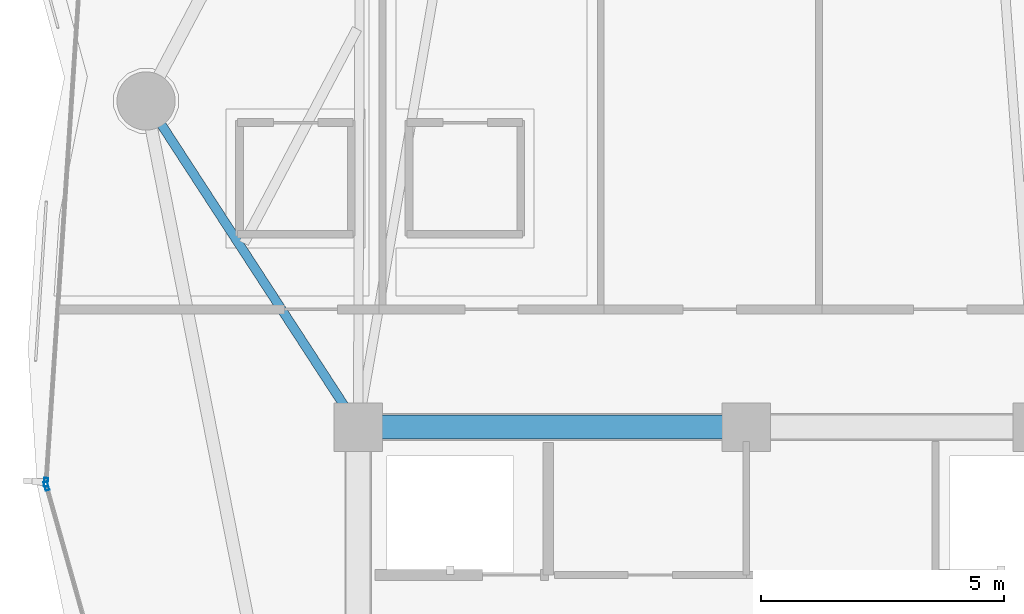
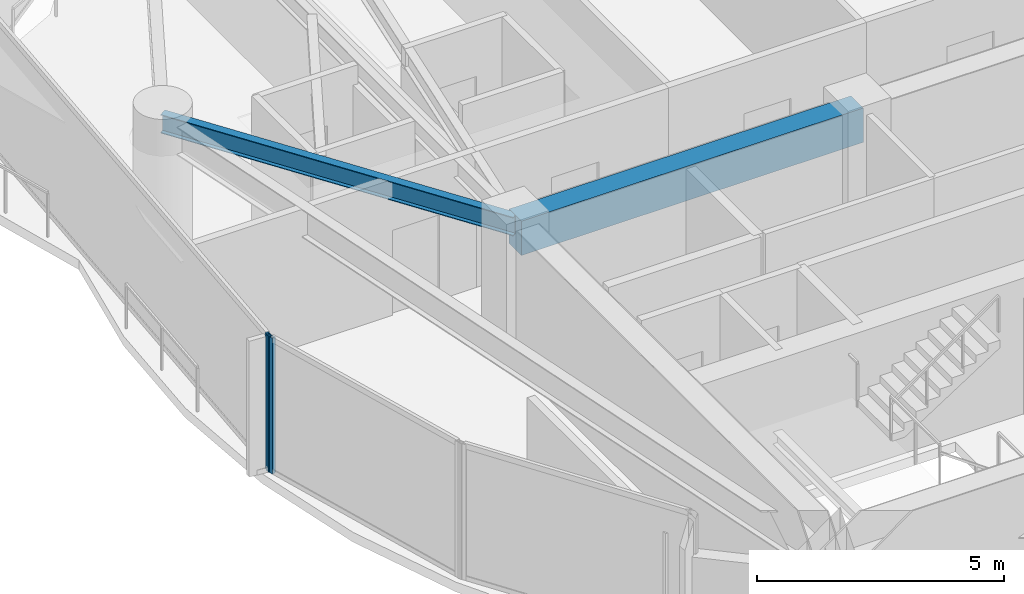
# One storey, part 7 of 30: 2 beams, 2 members, 2 elements without a shape of their own.
"""IFC4 building model written with IfcOpenShell, lengths in metres."""

from ifc_helpers import new_model, si_unit, direction, frame, origin, origin_2d, place, context, subcontext, project, spatial, rectangle, hollow_rectangle, i_section, extrude, material, layer, layer_set, material_profile, profile_set, type_object, element, aggregate, save


model = new_model("IFC4")

# Units and contexts
model_context = context("Model", 3, precision=1e-05, world=origin(), true_north=direction((0.0, 1.0)))
body_context = subcontext(model_context, "Body", "Model", "MODEL_VIEW")
ifc_project = project(units=[si_unit("LENGTHUNIT", "METRE"), si_unit("AREAUNIT", "SQUARE_METRE"), si_unit("VOLUMEUNIT", "CUBIC_METRE"), si_unit("PLANEANGLEUNIT", "RADIAN"), si_unit("MASSUNIT", "GRAM", prefix="KILO")], contexts=[model_context])

# Site, building, storey
site_placement = place(None, origin())
site = spatial("IfcSite", under=ifc_project, at=site_placement, CompositionType="ELEMENT")
building_placement = place(site_placement, origin())
building = spatial("IfcBuilding", under=site, at=building_placement, Name="Kazevale Care Tower and Concert Hall", CompositionType="ELEMENT")
storey_placement = place(building_placement, frame((0.0, 0.0, 127.800048828125)))
storey = spatial("IfcBuildingStorey", under=building, at=storey_placement, Name="L33", CompositionType="ELEMENT", Elevation=127.800048828125)

# Curtain wall, member
ifc_material_1 = material(Name="Aluminium 6063-T6 and Low-E Glass", Category="aluminium")
ifc_layer = layer(ifc_material_1, 0.179931640625)
ifc_layer_set = layer_set([ifc_layer], Name="Aluminium 6063-T6 and Low-E Glass")
curtain_wall_type = type_object("IfcCurtainWallType", Name="Waist & Upper Residential Curtain Wall CW-4", PredefinedType="NOTDEFINED", material=ifc_layer_set)
curtain_wall_1_placement = place(storey_placement, origin())
curtain_wall_1 = element("IfcCurtainWall", 1, at=curtain_wall_1_placement, inside=storey, type_object=curtain_wall_type, Name="cw:L33:f12", PredefinedType="NOTDEFINED")
ifc_material_2 = material(Name="Aluminium 6063-T6", Category="aluminium")
ifc_material_profile_1 = material_profile(ifc_material_2, hollow_rectangle(XDim=0.080078125, YDim=0.179931640625, WallThickness=0.0048828125, at=origin_2d()), Name="ALU80x180x5")
ifc_profile_set_1 = profile_set([ifc_material_profile_1], Name="Aluminium 6063-T6")
member_type = type_object("IfcMemberType", Name="CW-4 Mullion ALU80x180x5", PredefinedType="MULLION", material=ifc_profile_set_1)
member_1_placement = place(storey_placement, frame((15.576904296875, 35.18359375, 0.0), z_axis=(0.0, 0.0, 1.0), x_axis=(-0.962499078876, -0.271284948278, 0.0)))
member_1 = element("IfcMember", 2, at=member_1_placement, type_object=member_type, Name="CW-4 mullion 2", PredefinedType="MULLION", context=body_context, shape_type="SweptSolid", body=[
    extrude(hollow_rectangle(XDim=0.080078125, YDim=0.179931640625, WallThickness=0.0048828125, at=origin_2d()), origin(), (0.0, 0.0, 1.0), 3.35986328125),
])
aggregate(curtain_wall_1, [member_1])

curtain_wall_2_placement = place(storey_placement, origin())
curtain_wall_2 = element("IfcCurtainWall", 3, at=curtain_wall_2_placement, inside=storey, type_object=curtain_wall_type, Name="cw:L33:f13", PredefinedType="NOTDEFINED")
member_2_placement = place(storey_placement, frame((15.568603515625, 35.261962890625, 0.0), z_axis=(0.0, 0.0, 1.0), x_axis=(-0.997778418439, 0.06662002475, 0.0)))
member_2 = element("IfcMember", 4, at=member_2_placement, type_object=member_type, Name="CW-4 mullion 1", PredefinedType="MULLION", context=body_context, shape_type="SweptSolid", body=[
    extrude(hollow_rectangle(XDim=0.080078125, YDim=0.179931640625, WallThickness=0.0048828125, at=origin_2d()), origin(), (0.0, 0.0, 1.0), 3.35986328125),
])
aggregate(curtain_wall_2, [member_2])

# Beams
ifc_material_3 = material(Name="Concrete C60", Category="concrete")
ifc_material_profile_2 = material_profile(ifc_material_3, rectangle(XDim=0.5, YDim=0.85009765625, at=origin_2d()), Name="RC-B500x850")
ifc_profile_set_2 = profile_set([ifc_material_profile_2], Name="Concrete C60")
beam_type_1 = type_object("IfcBeamType", Name="Core Coupling Beam RC500x850", PredefinedType="LINTEL", material=ifc_profile_set_2)
beam_1_placement = place(storey_placement, frame((30.0, 36.39990234375, 2.93505859375), z_axis=(-1.0, 0.0, 0.0), x_axis=(0.0, -1.0, 0.0)))
element("IfcBeam", 5, at=beam_1_placement, inside=storey, type_object=beam_type_1, Name="beam:L33:coretie:7", PredefinedType="LINTEL", context=body_context, shape_type="SweptSolid", body=[
    extrude(rectangle(XDim=0.5, YDim=0.85009765625, at=origin_2d()), origin(), (0.0, 0.0, 1.0), 8.0),
])
ifc_material_4 = material(Name="Steel ASTM A572 Gr 50", Category="steel")
ifc_material_profile_3 = material_profile(ifc_material_4, i_section(OverallWidth=0.19091796875, OverallDepth=0.4599609375, WebThickness=0.010009765625, FlangeThickness=0.01611328125, at=origin_2d()), Name="W460x82")
ifc_profile_set_3 = profile_set([ifc_material_profile_3], Name="Steel ASTM A572 Gr 50")
beam_type_2 = type_object("IfcBeamType", Name="Radial Floor Beam W460x82", PredefinedType="BEAM", material=ifc_profile_set_3)
beam_2_placement = place(storey_placement, frame((22.0, 36.39990234375, 3.1298828125), z_axis=(-0.5451617613, 0.83833087383, 0.0), x_axis=(-0.83833087383, -0.5451617613, 0.0)))
element("IfcBeam", 6, at=beam_2_placement, inside=storey, type_object=beam_type_2, Name="beam:L33:rad:09", PredefinedType="BEAM", context=body_context, shape_type="SweptSolid", body=[
    extrude(i_section(OverallWidth=0.19091796875, OverallDepth=0.4599609375, WebThickness=0.010009765625, FlangeThickness=0.01611328125, at=origin_2d()), origin(), (0.0, 0.0, 1.0), 8.01611328125),
])

save(model, "model.ifc")
